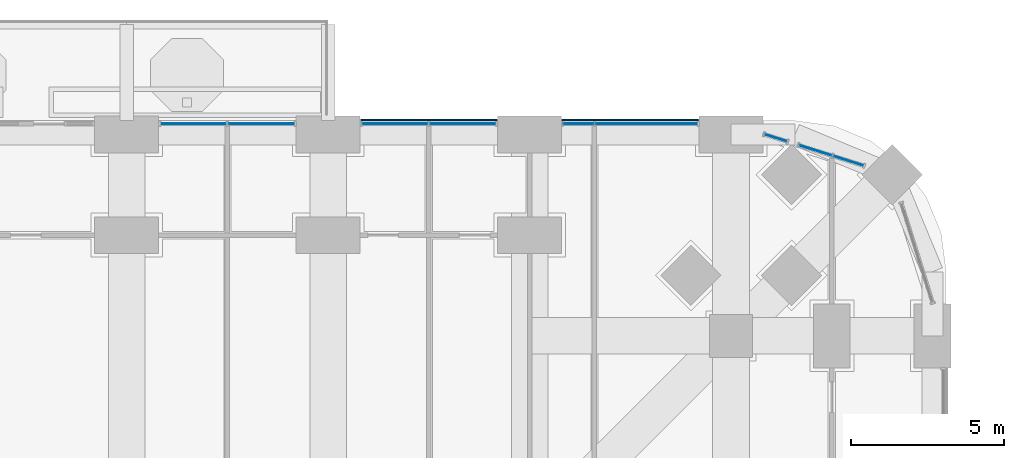
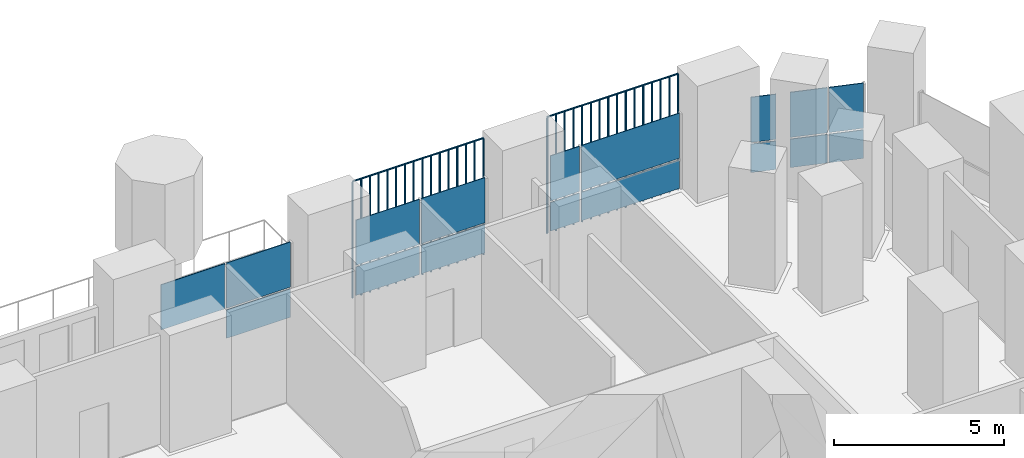
# One storey, part 16 of 26: 19 plates, 5 elements without a shape of their own.
"""IFC4 building model written with IfcOpenShell, lengths in metres."""

import ifcopenshell
import ifcopenshell.guid

model = None  # the IFC model being written
_history = None  # IfcOwnerHistory: only IFC2X3 demands one
_inside = {}  # id of a spatial element -> (the spatial element, [elements in it])
_under = {}  # id of a project, library or spatial element -> (it, [spatial elements below it])
_declared = {}  # id of a project -> (the project, [libraries it declares])
_typed = {}  # id of a type object -> (the type object, [elements of that type])
_made_of = {}  # id of a material, layer set ... -> (it, [elements and type objects made of it])


def new_model(schema):
    """Start an empty IFC model of exactly this schema.

    Asked for "IFC4X3", IfcOpenShell would pick the latest addendum, in which some entities
    have other attributes; the version numbers below select the first issue.
    IFC2X3 requires an IfcOwnerHistory on every rooted entity: one is made here for all.
    """
    global model, _history
    if schema == "IFC4X3":
        model = ifcopenshell.file(schema_version=(4, 3, 0, 0))
    else:
        model = ifcopenshell.file(schema=schema)
    _inside.clear()
    _under.clear()
    _declared.clear()
    _typed.clear()
    _made_of.clear()
    _history = None
    if model.schema == "IFC2X3":
        org = make("IfcOrganization", Name="unknown")
        user = make(
            "IfcPersonAndOrganization",
            ThePerson=make("IfcPerson", FamilyName="unknown"),
            TheOrganization=org,
        )
        app = make(
            "IfcApplication",
            ApplicationDeveloper=org,
            Version="unknown",
            ApplicationFullName="unknown",
            ApplicationIdentifier="unknown",
        )
        _history = make(
            "IfcOwnerHistory",
            OwningUser=user,
            OwningApplication=app,
            ChangeAction="ADDED",
            CreationDate=0,
        )
    return model


def make(cls, **values):
    """One entity of the class cls with the attributes given. An attribute that is None is left unset."""
    return model.create_entity(
        cls, **{name: value for name, value in values.items() if value is not None}
    )


def rooted(cls, **values):
    """An entity with a GlobalId (a new one), such as an element, a storey or a relation."""
    return make(cls, GlobalId=ifcopenshell.guid.new(), OwnerHistory=_history, **values)


def si_unit(unit_type, name, prefix=None):
    """IfcSIUnit, for example si_unit("LENGTHUNIT", "METRE", prefix="MILLI")."""
    return make("IfcSIUnit", UnitType=unit_type, Prefix=prefix, Name=name)


def assignment(units):
    """IfcUnitAssignment: the units of a project."""
    return None if units is None else make("IfcUnitAssignment", Units=units)


def point(xyz):
    """IfcCartesianPoint."""
    return None if xyz is None else make("IfcCartesianPoint", Coordinates=xyz)


def direction(xyz):
    """IfcDirection."""
    return None if xyz is None else make("IfcDirection", DirectionRatios=xyz)


def frame(location, z_axis=None, x_axis=None):
    """IfcAxis2Placement3D, a coordinate frame: its origin and axes. An axis left out is left unset."""
    return make(
        "IfcAxis2Placement3D",
        Location=point(location),
        Axis=direction(z_axis),
        RefDirection=direction(x_axis),
    )


def frame_2d(location, x_axis=None):
    """IfcAxis2Placement2D, a coordinate frame in the plane: its origin and x axis."""
    return make(
        "IfcAxis2Placement2D", Location=point(location), RefDirection=direction(x_axis)
    )


def origin():
    """The frame at (0, 0, 0) with its axes left unset."""
    return frame((0.0, 0.0, 0.0))


def origin_2d():
    """The frame at (0, 0) in the plane with its x axis left unset."""
    return frame_2d((0.0, 0.0))


def place(relative_to, where):
    """IfcLocalPlacement: puts the frame where relative to a parent placement (None: the world)."""
    return make(
        "IfcLocalPlacement", PlacementRelTo=relative_to, RelativePlacement=where
    )


def context(
    kind, dimensions, precision=None, world=None, true_north=None, identifier=None
):
    """IfcGeometricRepresentationContext, for example the 3D "Model" context."""
    return make(
        "IfcGeometricRepresentationContext",
        ContextIdentifier=identifier,
        ContextType=kind,
        CoordinateSpaceDimension=dimensions,
        Precision=precision,
        WorldCoordinateSystem=world,
        TrueNorth=true_north,
    )


def subcontext(parent, identifier, kind, view, scale=None):
    """IfcGeometricRepresentationSubContext, for example "Body" below "Model"."""
    return make(
        "IfcGeometricRepresentationSubContext",
        ContextIdentifier=identifier,
        ContextType=kind,
        ParentContext=parent,
        TargetScale=scale,
        TargetView=view,
    )


def project(units=None, contexts=None):
    """IfcProject with its units and contexts."""
    return rooted(
        "IfcProject",
        Name="project",
        RepresentationContexts=contexts,
        UnitsInContext=assignment(units),
    )


def spatial(cls, under=None, at=None, **own):
    """A site, building, storey or space (cls), placed at a placement, below another one or the project."""
    s = rooted(cls, ObjectPlacement=at, **own)
    if under is not None:
        _under.setdefault(under.id(), (under, []))[1].append(s)
    return s


def polyline(points):
    """IfcPolyline through the points."""
    return make("IfcPolyline", Points=[point(p) for p in points])


def profile(cls, at=None, kind="AREA", **sizes):
    """A parametric profile (cls). Its sizes go by their IFC names, for example OverallWidth=200.0."""
    return make(cls, ProfileType=kind, Position=at, **sizes)


def rectangle(**sizes):
    """IfcRectangleProfileDef."""
    return profile("IfcRectangleProfileDef", **sizes)


def outline(outer, holes=None, kind="AREA"):
    """IfcArbitraryClosedProfileDef: a profile drawn as a closed curve; with holes, ...WithVoids."""
    if holes is None:
        return make("IfcArbitraryClosedProfileDef", ProfileType=kind, OuterCurve=outer)
    return make(
        "IfcArbitraryProfileDefWithVoids",
        ProfileType=kind,
        OuterCurve=outer,
        InnerCurves=holes,
    )


def extrude(swept, where, along, depth):
    """IfcExtrudedAreaSolid: the profile swept, set in the frame where, extruded along a direction by depth."""
    return make(
        "IfcExtrudedAreaSolid",
        SweptArea=swept,
        Position=where,
        ExtrudedDirection=direction(along),
        Depth=depth,
    )


def shape(context_of_items, identifier, shape_type, items):
    """IfcShapeRepresentation: the items that make up one representation, for example the "Body"."""
    return make(
        "IfcShapeRepresentation",
        ContextOfItems=context_of_items,
        RepresentationIdentifier=identifier,
        RepresentationType=shape_type,
        Items=items,
    )


def material(Name=None, Category=None):
    """IfcMaterial."""
    return make("IfcMaterial", Name=Name, Category=Category)


def layer(
    of_material, thickness, ventilated=None, Name=None, Category=None, Priority=None
):
    """IfcMaterialLayer: one layer of a wall or slab, of a material (None: an air gap)."""
    return make(
        "IfcMaterialLayer",
        Material=of_material,
        LayerThickness=thickness,
        IsVentilated=ventilated,
        Name=Name,
        Category=Category,
        Priority=Priority,
    )


def layer_set(layers, Name=None):
    """IfcMaterialLayerSet."""
    return make("IfcMaterialLayerSet", MaterialLayers=layers, LayerSetName=Name)


def made_of(thing, what):
    """Note that an element or type object is made of a material, layer set ...; save() writes the relation."""
    if what is not None:
        _made_of.setdefault(what.id(), (what, []))[1].append(thing)
    return thing


def type_object(cls, material=None, **own):
    """A type object (cls), such as IfcWallType, which elements share."""
    return made_of(rooted(cls, **own), material)


def element(
    cls,
    number,
    at=None,
    inside=None,
    cuts=None,
    type_object=None,
    material=None,
    context=None,
    identifier="Body",
    shape_type=None,
    held_by="IfcProductDefinitionShape",
    body=None,
    shapes=None,
    **own,
):
    """One element of the class cls, such as IfcWall. Its Tag is "e" and its number.

    at: its placement. inside: the storey or other place that contains it. cuts: it is an
    opening in that element (IfcRelVoidsElement). A single representation is given by context,
    identifier, shape_type and body (its items); several are given by shapes. held_by: the class
    of the entity that holds the representations. save() writes the other relations.
    """
    e = rooted(cls, Tag="e%d" % number, ObjectPlacement=at, **own)
    if body is not None:
        shapes = [shape(context, identifier, shape_type, body)]
    if shapes is not None:
        e.Representation = make(held_by, Representations=shapes)
    if inside is not None:
        _inside.setdefault(inside.id(), (inside, []))[1].append(e)
    if cuts is not None:
        rooted(
            "IfcRelVoidsElement", RelatingBuildingElement=cuts, RelatedOpeningElement=e
        )
    if type_object is not None:
        _typed.setdefault(type_object.id(), (type_object, []))[1].append(e)
    return made_of(e, material)


def aggregate(whole, parts):
    """IfcRelAggregates: a whole, such as a stair, and the parts it consists of."""
    return rooted("IfcRelAggregates", RelatingObject=whole, RelatedObjects=parts)


def save(model, path):
    """Write the relations noted so far, then the file.

    IfcRelAggregates (storeys below a building ...), IfcRelContainedInSpatialStructure (elements
    in a storey), IfcRelDefinesByType, IfcRelAssociatesMaterial and IfcRelDeclares: one each for
    every whole, place, type object, material and project.
    """
    for whole, parts in _under.values():
        aggregate(whole, parts)
    for where, things in _inside.values():
        rooted(
            "IfcRelContainedInSpatialStructure",
            RelatedElements=things,
            RelatingStructure=where,
        )
    for kind, things in _typed.values():
        rooted("IfcRelDefinesByType", RelatedObjects=things, RelatingType=kind)
    for what, things in _made_of.values():
        rooted("IfcRelAssociatesMaterial", RelatedObjects=things, RelatingMaterial=what)
    for by, libraries in _declared.values():
        rooted("IfcRelDeclares", RelatingContext=by, RelatedDefinitions=libraries)
    model.write(path)


model = new_model("IFC4")

# Units and contexts
model_context = context("Model", 3, precision=1e-05, world=origin(), true_north=direction((0.0, 1.0)))
body_context = subcontext(model_context, "Body", "Model", "MODEL_VIEW")
ifc_project = project(units=[si_unit("LENGTHUNIT", "METRE"), si_unit("AREAUNIT", "SQUARE_METRE"), si_unit("VOLUMEUNIT", "CUBIC_METRE"), si_unit("PLANEANGLEUNIT", "RADIAN"), si_unit("MASSUNIT", "GRAM", prefix="KILO")], contexts=[model_context])

# Site, building, storey
site_placement = place(None, origin())
site = spatial("IfcSite", under=ifc_project, at=site_placement, CompositionType="ELEMENT")
building_placement = place(site_placement, origin())
building = spatial("IfcBuilding", under=site, at=building_placement, Name="Cobogo Forest Laboratory Tower", CompositionType="ELEMENT")
storey_placement = place(building_placement, frame((0.0, 0.0, 50.699951171875)))
storey = spatial("IfcBuildingStorey", under=building, at=storey_placement, Name="L11", CompositionType="ELEMENT", Elevation=50.699951171875)

# Curtain wall, plates
ifc_material_1 = material(Name="Aluminium curtain wall", Category="aluminium")
curtain_wall_type = type_object("IfcCurtainWallType", Name="CW-1 unitised curtain wall, clear glazing, laboratory floors zones A and B", PredefinedType="USERDEFINED", material=ifc_material_1)
curtain_wall_1_placement = place(storey_placement, origin())
curtain_wall_1 = element("IfcCurtainWall", 1, at=curtain_wall_1_placement, inside=storey, type_object=curtain_wall_type, Name="Curtain wall 16 L11", ObjectType="UNITISED CURTAIN WALL", PredefinedType="USERDEFINED")
ifc_material_2 = material(Name="Clear insulated glass", Category="glass")
ifc_layer = layer(ifc_material_2, 0.028076171875)
ifc_layer_set = layer_set([ifc_layer], Name="GP-1 clear insulated glass unit 28")
plate_type_1 = type_object("IfcPlateType", Name="GP-1 clear insulated glass unit 28", PredefinedType="CURTAIN_PANEL", material=ifc_layer_set)
plate_1_placement = place(storey_placement, frame((50.042724609375, 45.33642578125, 0.0), z_axis=(0.0, 0.0, 1.0), x_axis=(-0.953581409645, 0.301135343623, 0.0)))
plate_1 = element("IfcPlate", 2, at=plate_1_placement, type_object=plate_type_1, Name="CW-1 panel 1.1", PredefinedType="CURTAIN_PANEL", context=body_context, shape_type="SweptSolid", body=[
    extrude(rectangle(XDim=1.027587890625, YDim=0.028076171875, at=origin_2d()), origin(), (0.0, 0.0, 1.0), 1.02001953125),
])
plate_2_placement = place(storey_placement, frame((50.042724609375, 45.33642578125, 1.080078125), z_axis=(0.0, 0.0, 1.0), x_axis=(-0.953581409645, 0.301135343623, 0.0)))
plate_2 = element("IfcPlate", 3, at=plate_2_placement, type_object=plate_type_1, Name="CW-1 panel 1.2", PredefinedType="CURTAIN_PANEL", context=body_context, shape_type="SweptSolid", body=[
    extrude(rectangle(XDim=1.027587890625, YDim=0.028076171875, at=origin_2d()), origin(), (0.0, 0.0, 1.0), 1.6201171875),
])
plate_3_placement = place(storey_placement, frame((48.963623046875, 45.67724609375, 0.0), z_axis=(0.0, 0.0, 1.0), x_axis=(-0.953581409645, 0.301135343623, 0.0)))
plate_3 = element("IfcPlate", 4, at=plate_3_placement, type_object=plate_type_1, Name="CW-1 panel 2.1", PredefinedType="CURTAIN_PANEL", context=body_context, shape_type="SweptSolid", body=[
    extrude(rectangle(XDim=1.11572265625, YDim=0.028076171875, at=origin_2d()), origin(), (0.0, 0.0, 1.0), 1.02001953125),
])
plate_4_placement = place(storey_placement, frame((48.963623046875, 45.67724609375, 1.080078125), z_axis=(0.0, 0.0, 1.0), x_axis=(-0.953581409645, 0.301135343623, 0.0)))
plate_4 = element("IfcPlate", 5, at=plate_4_placement, type_object=plate_type_1, Name="CW-1 panel 2.2", PredefinedType="CURTAIN_PANEL", context=body_context, shape_type="SweptSolid", body=[
    extrude(rectangle(XDim=1.11572265625, YDim=0.028076171875, at=origin_2d()), origin(), (0.0, 0.0, 1.0), 1.6201171875),
])
aggregate(curtain_wall_1, [plate_1, plate_2, plate_3, plate_4])

curtain_wall_2_placement = place(storey_placement, origin())
curtain_wall_2 = element("IfcCurtainWall", 6, at=curtain_wall_2_placement, inside=storey, type_object=curtain_wall_type, Name="Curtain wall 17 L11", ObjectType="UNITISED CURTAIN WALL", PredefinedType="USERDEFINED")
plate_5_placement = place(storey_placement, frame((47.666015625, 46.087158203125, 0.0), z_axis=(0.0, 0.0, 1.0), x_axis=(-0.953581504428, 0.301135043481, 0.0)))
plate_5 = element("IfcPlate", 7, at=plate_5_placement, type_object=plate_type_1, Name="CW-1 panel 1.1", PredefinedType="CURTAIN_PANEL", context=body_context, shape_type="SweptSolid", body=[
    extrude(rectangle(XDim=0.75244140625, YDim=0.028076171875, at=origin_2d()), origin(), (0.0, 0.0, 1.0), 1.02001953125),
])
plate_6_placement = place(storey_placement, frame((47.666015625, 46.087158203125, 1.080078125), z_axis=(0.0, 0.0, 1.0), x_axis=(-0.953581504428, 0.301135043481, 0.0)))
plate_6 = element("IfcPlate", 8, at=plate_6_placement, type_object=plate_type_1, Name="CW-1 panel 1.2", PredefinedType="CURTAIN_PANEL", context=body_context, shape_type="SweptSolid", body=[
    extrude(rectangle(XDim=0.75244140625, YDim=0.028076171875, at=origin_2d()), origin(), (0.0, 0.0, 1.0), 1.6201171875),
])
aggregate(curtain_wall_2, [plate_5, plate_6])

curtain_wall_3_placement = place(storey_placement, origin())
curtain_wall_3 = element("IfcCurtainWall", 9, at=curtain_wall_3_placement, inside=storey, type_object=curtain_wall_type, Name="Curtain wall 18 L11", ObjectType="UNITISED CURTAIN WALL", PredefinedType="USERDEFINED")
plate_7_placement = place(storey_placement, frame((43.422607421875, 46.550048828125, 0.0), z_axis=(0.0, 0.0, 1.0), x_axis=(-1.0, 0.0, 0.0)))
plate_7 = element("IfcPlate", 10, at=plate_7_placement, type_object=plate_type_1, Name="CW-1 panel 1.1", PredefinedType="CURTAIN_PANEL", context=body_context, shape_type="SweptSolid", body=[
    extrude(rectangle(XDim=3.3349609375, YDim=0.028076171875, at=origin_2d()), origin(), (0.0, 0.0, 1.0), 1.02001953125),
])
plate_8_placement = place(storey_placement, frame((43.422607421875, 46.550048828125, 1.080078125), z_axis=(0.0, 0.0, 1.0), x_axis=(-1.0, 0.0, 0.0)))
plate_8 = element("IfcPlate", 11, at=plate_8_placement, type_object=plate_type_1, Name="CW-1 panel 1.2", PredefinedType="CURTAIN_PANEL", context=body_context, shape_type="SweptSolid", body=[
    extrude(rectangle(XDim=3.3349609375, YDim=0.028076171875, at=origin_2d()), origin(), (0.0, 0.0, 1.0), 1.6201171875),
])
plate_9_placement = place(storey_placement, frame((41.202392578125, 46.550048828125, 0.0), z_axis=(0.0, 0.0, 1.0), x_axis=(-1.0, 0.0, 0.0)))
plate_9 = element("IfcPlate", 12, at=plate_9_placement, type_object=plate_type_1, Name="CW-1 panel 2.1", PredefinedType="CURTAIN_PANEL", context=body_context, shape_type="SweptSolid", body=[
    extrude(rectangle(XDim=0.985107421875, YDim=0.028076171875, at=origin_2d()), origin(), (0.0, 0.0, 1.0), 1.02001953125),
])
plate_10_placement = place(storey_placement, frame((41.202392578125, 46.550048828125, 1.080078125), z_axis=(0.0, 0.0, 1.0), x_axis=(-1.0, 0.0, 0.0)))
plate_10 = element("IfcPlate", 13, at=plate_10_placement, type_object=plate_type_1, Name="CW-1 panel 2.2", PredefinedType="CURTAIN_PANEL", context=body_context, shape_type="SweptSolid", body=[
    extrude(rectangle(XDim=0.985107421875, YDim=0.028076171875, at=origin_2d()), origin(), (0.0, 0.0, 1.0), 1.6201171875),
])
aggregate(curtain_wall_3, [plate_7, plate_8, plate_9, plate_10])

curtain_wall_4_placement = place(storey_placement, origin())
curtain_wall_4 = element("IfcCurtainWall", 14, at=curtain_wall_4_placement, inside=storey, type_object=curtain_wall_type, Name="Curtain wall 19 L11", ObjectType="UNITISED CURTAIN WALL", PredefinedType="USERDEFINED")
plate_11_placement = place(storey_placement, frame((37.409912109375, 46.550048828125, 0.0), z_axis=(0.0, 0.0, 1.0), x_axis=(-1.0, 0.0, 0.0)))
plate_11 = element("IfcPlate", 15, at=plate_11_placement, type_object=plate_type_1, Name="CW-1 panel 1.1", PredefinedType="CURTAIN_PANEL", context=body_context, shape_type="SweptSolid", body=[
    extrude(rectangle(XDim=2.159912109375, YDim=0.028076171875, at=origin_2d()), origin(), (0.0, 0.0, 1.0), 1.02001953125),
])
plate_12_placement = place(storey_placement, frame((37.409912109375, 46.550048828125, 1.080078125), z_axis=(0.0, 0.0, 1.0), x_axis=(-1.0, 0.0, 0.0)))
plate_12 = element("IfcPlate", 16, at=plate_12_placement, type_object=plate_type_1, Name="CW-1 panel 1.2", PredefinedType="CURTAIN_PANEL", context=body_context, shape_type="SweptSolid", body=[
    extrude(rectangle(XDim=2.159912109375, YDim=0.028076171875, at=origin_2d()), origin(), (0.0, 0.0, 1.0), 1.6201171875),
])
plate_13_placement = place(storey_placement, frame((35.18994140625, 46.550048828125, 0.0), z_axis=(0.0, 0.0, 1.0), x_axis=(-1.0, 0.0, 0.0)))
plate_13 = element("IfcPlate", 17, at=plate_13_placement, type_object=plate_type_1, Name="CW-1 panel 2.1", PredefinedType="CURTAIN_PANEL", context=body_context, shape_type="SweptSolid", body=[
    extrude(rectangle(XDim=2.159912109375, YDim=0.028076171875, at=origin_2d()), origin(), (0.0, 0.0, 1.0), 1.02001953125),
])
plate_14_placement = place(storey_placement, frame((35.18994140625, 46.550048828125, 1.080078125), z_axis=(0.0, 0.0, 1.0), x_axis=(-1.0, 0.0, 0.0)))
plate_14 = element("IfcPlate", 18, at=plate_14_placement, type_object=plate_type_1, Name="CW-1 panel 2.2", PredefinedType="CURTAIN_PANEL", context=body_context, shape_type="SweptSolid", body=[
    extrude(rectangle(XDim=2.159912109375, YDim=0.028076171875, at=origin_2d()), origin(), (0.0, 0.0, 1.0), 1.6201171875),
])
aggregate(curtain_wall_4, [plate_11, plate_12, plate_13, plate_14])

curtain_wall_5_placement = place(storey_placement, origin())
curtain_wall_5 = element("IfcCurtainWall", 19, at=curtain_wall_5_placement, inside=storey, type_object=curtain_wall_type, Name="Curtain wall 20 L11", ObjectType="UNITISED CURTAIN WALL", PredefinedType="USERDEFINED")
plate_15_placement = place(storey_placement, frame((30.81005859375, 46.550048828125, 0.0), z_axis=(0.0, 0.0, 1.0), x_axis=(-1.0, 0.0, 0.0)))
plate_15 = element("IfcPlate", 20, at=plate_15_placement, type_object=plate_type_1, Name="CW-1 panel 1.1", PredefinedType="CURTAIN_PANEL", context=body_context, shape_type="SweptSolid", body=[
    extrude(rectangle(XDim=2.159912109375, YDim=0.028076171875, at=origin_2d()), origin(), (0.0, 0.0, 1.0), 1.02001953125),
])
plate_16_placement = place(storey_placement, frame((30.81005859375, 46.550048828125, 1.080078125), z_axis=(0.0, 0.0, 1.0), x_axis=(-1.0, 0.0, 0.0)))
plate_16 = element("IfcPlate", 21, at=plate_16_placement, type_object=plate_type_1, Name="CW-1 panel 1.2", PredefinedType="CURTAIN_PANEL", context=body_context, shape_type="SweptSolid", body=[
    extrude(rectangle(XDim=2.159912109375, YDim=0.028076171875, at=origin_2d()), origin(), (0.0, 0.0, 1.0), 1.6201171875),
])
plate_17_placement = place(storey_placement, frame((28.590087890625, 46.550048828125, 1.080078125), z_axis=(0.0, 0.0, 1.0), x_axis=(-1.0, 0.0, 0.0)))
plate_17 = element("IfcPlate", 22, at=plate_17_placement, type_object=plate_type_1, Name="CW-1 panel 2.2", PredefinedType="CURTAIN_PANEL", context=body_context, shape_type="SweptSolid", body=[
    extrude(rectangle(XDim=2.159912109375, YDim=0.028076171875, at=origin_2d()), origin(), (0.0, 0.0, 1.0), 1.6201171875),
])
aggregate(curtain_wall_5, [plate_15, plate_16, plate_17])

# Plates
ifc_material_3 = material(Name="Terracotta", Category="masonry")
plate_type_2 = type_object("IfcPlateType", Name="TB1 terracotta baguette screen", PredefinedType="USERDEFINED", material=ifc_material_3)
plate_18_placement = place(storey_placement, frame((34.081298828125, 46.677978515625, -0.14990234375)))
element("IfcPlate", 23, at=plate_18_placement, inside=storey, type_object=plate_type_2, Name="Baguette screen N5 L11", ObjectType="BAGUETTE SCREEN", PredefinedType="USERDEFINED", context=body_context, shape_type="SweptSolid", body=[
    extrude(outline(polyline([(0.02880859375, 0.011962890625), (0.011962890625, 0.02880859375), (-0.011962890625, 0.02880859375), (-0.02880859375, 0.011962890625), (-0.02880859375, -0.011962890625), (-0.011962890625, -0.02880859375), (0.011962890625, -0.02880859375), (0.02880859375, -0.011962890625), (0.02880859375, 0.011962890625)])), frame((0.0, 0.0, 4.168701171875), z_axis=(1.0, 0.0, 0.0), x_axis=(0.0, 1.0, 0.0)), (0.0, 0.0, 1.0), 4.4375),
    extrude(outline(polyline([(0.02880859375, 0.011962890625), (0.011962890625, 0.02880859375), (-0.011962890625, 0.02880859375), (-0.02880859375, 0.011962890625), (-0.02880859375, -0.011962890625), (-0.011962890625, -0.02880859375), (0.011962890625, -0.02880859375), (0.02880859375, -0.011962890625), (0.02880859375, 0.011962890625)])), origin(), (0.0, 0.0, 1.0), 4.137451171875),
    extrude(outline(polyline([(0.02880859375, 0.011962890625), (0.011962890625, 0.02880859375), (-0.011962890625, 0.02880859375), (-0.02880859375, 0.011962890625), (-0.02880859375, -0.011962890625), (-0.011962890625, -0.02880859375), (0.011962890625, -0.02880859375), (0.02880859375, -0.011962890625), (0.02880859375, 0.011962890625)])), frame((0.2958984375, 0.0, 0.0)), (0.0, 0.0, 1.0), 4.137451171875),
    extrude(outline(polyline([(0.02880859375, 0.011962890625), (0.011962890625, 0.02880859375), (-0.011962890625, 0.02880859375), (-0.02880859375, 0.011962890625), (-0.02880859375, -0.011962890625), (-0.011962890625, -0.02880859375), (0.011962890625, -0.02880859375), (0.02880859375, -0.011962890625), (0.02880859375, 0.011962890625)])), frame((0.591552734375, 0.0, 0.0)), (0.0, 0.0, 1.0), 4.137451171875),
    extrude(outline(polyline([(0.02880859375, 0.011962890625), (0.011962890625, 0.02880859375), (-0.011962890625, 0.02880859375), (-0.02880859375, 0.011962890625), (-0.02880859375, -0.011962890625), (-0.011962890625, -0.02880859375), (0.011962890625, -0.02880859375), (0.02880859375, -0.011962890625), (0.02880859375, 0.011962890625)])), frame((0.887451171875, 0.0, 0.0)), (0.0, 0.0, 1.0), 4.137451171875),
    extrude(outline(polyline([(0.02880859375, 0.011962890625), (0.011962890625, 0.02880859375), (-0.011962890625, 0.02880859375), (-0.02880859375, 0.011962890625), (-0.02880859375, -0.011962890625), (-0.011962890625, -0.02880859375), (0.011962890625, -0.02880859375), (0.02880859375, -0.011962890625), (0.02880859375, 0.011962890625)])), frame((1.183349609375, 0.0, 0.0)), (0.0, 0.0, 1.0), 4.137451171875),
    extrude(outline(polyline([(0.02880859375, 0.011962890625), (0.011962890625, 0.02880859375), (-0.011962890625, 0.02880859375), (-0.02880859375, 0.011962890625), (-0.02880859375, -0.011962890625), (-0.011962890625, -0.02880859375), (0.011962890625, -0.02880859375), (0.02880859375, -0.011962890625), (0.02880859375, 0.011962890625)])), frame((1.479248046875, 0.0, 0.0)), (0.0, 0.0, 1.0), 4.137451171875),
    extrude(outline(polyline([(0.02880859375, 0.011962890625), (0.011962890625, 0.02880859375), (-0.011962890625, 0.02880859375), (-0.02880859375, 0.011962890625), (-0.02880859375, -0.011962890625), (-0.011962890625, -0.02880859375), (0.011962890625, -0.02880859375), (0.02880859375, -0.011962890625), (0.02880859375, 0.011962890625)])), frame((1.77490234375, 0.0, 0.0)), (0.0, 0.0, 1.0), 4.137451171875),
    extrude(outline(polyline([(0.02880859375, 0.011962890625), (0.011962890625, 0.02880859375), (-0.011962890625, 0.02880859375), (-0.02880859375, 0.011962890625), (-0.02880859375, -0.011962890625), (-0.011962890625, -0.02880859375), (0.011962890625, -0.02880859375), (0.02880859375, -0.011962890625), (0.02880859375, 0.011962890625)])), frame((2.07080078125, 0.0, 0.0)), (0.0, 0.0, 1.0), 4.137451171875),
    extrude(outline(polyline([(0.02880859375, 0.011962890625), (0.011962890625, 0.02880859375), (-0.011962890625, 0.02880859375), (-0.02880859375, 0.011962890625), (-0.02880859375, -0.011962890625), (-0.011962890625, -0.02880859375), (0.011962890625, -0.02880859375), (0.02880859375, -0.011962890625), (0.02880859375, 0.011962890625)])), frame((2.36669921875, 0.0, 0.0)), (0.0, 0.0, 1.0), 4.137451171875),
    extrude(outline(polyline([(0.02880859375, 0.011962890625), (0.011962890625, 0.02880859375), (-0.011962890625, 0.02880859375), (-0.02880859375, 0.011962890625), (-0.02880859375, -0.011962890625), (-0.011962890625, -0.02880859375), (0.011962890625, -0.02880859375), (0.02880859375, -0.011962890625), (0.02880859375, 0.011962890625)])), frame((2.66259765625, 0.0, 0.0)), (0.0, 0.0, 1.0), 4.137451171875),
    extrude(outline(polyline([(0.02880859375, 0.011962890625), (0.011962890625, 0.02880859375), (-0.011962890625, 0.02880859375), (-0.02880859375, 0.011962890625), (-0.02880859375, -0.011962890625), (-0.011962890625, -0.02880859375), (0.011962890625, -0.02880859375), (0.02880859375, -0.011962890625), (0.02880859375, 0.011962890625)])), frame((2.958251953125, 0.0, 0.0)), (0.0, 0.0, 1.0), 4.137451171875),
    extrude(outline(polyline([(0.02880859375, 0.011962890625), (0.011962890625, 0.02880859375), (-0.011962890625, 0.02880859375), (-0.02880859375, 0.011962890625), (-0.02880859375, -0.011962890625), (-0.011962890625, -0.02880859375), (0.011962890625, -0.02880859375), (0.02880859375, -0.011962890625), (0.02880859375, 0.011962890625)])), frame((3.254150390625, 0.0, 0.0)), (0.0, 0.0, 1.0), 4.137451171875),
    extrude(outline(polyline([(0.02880859375, 0.011962890625), (0.011962890625, 0.02880859375), (-0.011962890625, 0.02880859375), (-0.02880859375, 0.011962890625), (-0.02880859375, -0.011962890625), (-0.011962890625, -0.02880859375), (0.011962890625, -0.02880859375), (0.02880859375, -0.011962890625), (0.02880859375, 0.011962890625)])), frame((3.550048828125, 0.0, 0.0)), (0.0, 0.0, 1.0), 4.137451171875),
    extrude(outline(polyline([(0.02880859375, 0.011962890625), (0.011962890625, 0.02880859375), (-0.011962890625, 0.02880859375), (-0.02880859375, 0.011962890625), (-0.02880859375, -0.011962890625), (-0.011962890625, -0.02880859375), (0.011962890625, -0.02880859375), (0.02880859375, -0.011962890625), (0.02880859375, 0.011962890625)])), frame((3.845947265625, 0.0, 0.0)), (0.0, 0.0, 1.0), 4.137451171875),
    extrude(outline(polyline([(0.02880859375, 0.011962890625), (0.011962890625, 0.02880859375), (-0.011962890625, 0.02880859375), (-0.02880859375, 0.011962890625), (-0.02880859375, -0.011962890625), (-0.011962890625, -0.02880859375), (0.011962890625, -0.02880859375), (0.02880859375, -0.011962890625), (0.02880859375, 0.011962890625)])), frame((4.1416015625, 0.0, 0.0)), (0.0, 0.0, 1.0), 4.137451171875),
    extrude(outline(polyline([(0.02880859375, 0.011962890625), (0.011962890625, 0.02880859375), (-0.011962890625, 0.02880859375), (-0.02880859375, 0.011962890625), (-0.02880859375, -0.011962890625), (-0.011962890625, -0.02880859375), (0.011962890625, -0.02880859375), (0.02880859375, -0.011962890625), (0.02880859375, 0.011962890625)])), frame((4.4375, 0.0, 0.0)), (0.0, 0.0, 1.0), 4.137451171875),
])
plate_19_placement = place(storey_placement, frame((40.68115234375, 46.677978515625, -0.14990234375)))
element("IfcPlate", 24, at=plate_19_placement, inside=storey, type_object=plate_type_2, Name="Baguette screen N6 L11", ObjectType="BAGUETTE SCREEN", PredefinedType="USERDEFINED", context=body_context, shape_type="SweptSolid", body=[
    extrude(outline(polyline([(0.02880859375, 0.011962890625), (0.011962890625, 0.02880859375), (-0.011962890625, 0.02880859375), (-0.02880859375, 0.011962890625), (-0.02880859375, -0.011962890625), (-0.011962890625, -0.02880859375), (0.011962890625, -0.02880859375), (0.02880859375, -0.011962890625), (0.02880859375, 0.011962890625)])), frame((0.0, 0.0, 4.168701171875), z_axis=(1.0, 0.0, 0.0), x_axis=(0.0, 1.0, 0.0)), (0.0, 0.0, 1.0), 4.4375),
    extrude(outline(polyline([(0.02880859375, 0.011962890625), (0.011962890625, 0.02880859375), (-0.011962890625, 0.02880859375), (-0.02880859375, 0.011962890625), (-0.02880859375, -0.011962890625), (-0.011962890625, -0.02880859375), (0.011962890625, -0.02880859375), (0.02880859375, -0.011962890625), (0.02880859375, 0.011962890625)])), origin(), (0.0, 0.0, 1.0), 4.137451171875),
    extrude(outline(polyline([(0.02880859375, 0.011962890625), (0.011962890625, 0.02880859375), (-0.011962890625, 0.02880859375), (-0.02880859375, 0.011962890625), (-0.02880859375, -0.011962890625), (-0.011962890625, -0.02880859375), (0.011962890625, -0.02880859375), (0.02880859375, -0.011962890625), (0.02880859375, 0.011962890625)])), frame((0.2958984375, 0.0, 0.0)), (0.0, 0.0, 1.0), 4.137451171875),
    extrude(outline(polyline([(0.02880859375, 0.011962890625), (0.011962890625, 0.02880859375), (-0.011962890625, 0.02880859375), (-0.02880859375, 0.011962890625), (-0.02880859375, -0.011962890625), (-0.011962890625, -0.02880859375), (0.011962890625, -0.02880859375), (0.02880859375, -0.011962890625), (0.02880859375, 0.011962890625)])), frame((0.591552734375, 0.0, 0.0)), (0.0, 0.0, 1.0), 4.137451171875),
    extrude(outline(polyline([(0.02880859375, 0.011962890625), (0.011962890625, 0.02880859375), (-0.011962890625, 0.02880859375), (-0.02880859375, 0.011962890625), (-0.02880859375, -0.011962890625), (-0.011962890625, -0.02880859375), (0.011962890625, -0.02880859375), (0.02880859375, -0.011962890625), (0.02880859375, 0.011962890625)])), frame((0.887451171875, 0.0, 0.0)), (0.0, 0.0, 1.0), 4.137451171875),
    extrude(outline(polyline([(0.02880859375, 0.011962890625), (0.011962890625, 0.02880859375), (-0.011962890625, 0.02880859375), (-0.02880859375, 0.011962890625), (-0.02880859375, -0.011962890625), (-0.011962890625, -0.02880859375), (0.011962890625, -0.02880859375), (0.02880859375, -0.011962890625), (0.02880859375, 0.011962890625)])), frame((1.183349609375, 0.0, 0.0)), (0.0, 0.0, 1.0), 4.137451171875),
    extrude(outline(polyline([(0.02880859375, 0.011962890625), (0.011962890625, 0.02880859375), (-0.011962890625, 0.02880859375), (-0.02880859375, 0.011962890625), (-0.02880859375, -0.011962890625), (-0.011962890625, -0.02880859375), (0.011962890625, -0.02880859375), (0.02880859375, -0.011962890625), (0.02880859375, 0.011962890625)])), frame((1.479248046875, 0.0, 0.0)), (0.0, 0.0, 1.0), 4.137451171875),
    extrude(outline(polyline([(0.02880859375, 0.011962890625), (0.011962890625, 0.02880859375), (-0.011962890625, 0.02880859375), (-0.02880859375, 0.011962890625), (-0.02880859375, -0.011962890625), (-0.011962890625, -0.02880859375), (0.011962890625, -0.02880859375), (0.02880859375, -0.011962890625), (0.02880859375, 0.011962890625)])), frame((1.77490234375, 0.0, 0.0)), (0.0, 0.0, 1.0), 4.137451171875),
    extrude(outline(polyline([(0.02880859375, 0.011962890625), (0.011962890625, 0.02880859375), (-0.011962890625, 0.02880859375), (-0.02880859375, 0.011962890625), (-0.02880859375, -0.011962890625), (-0.011962890625, -0.02880859375), (0.011962890625, -0.02880859375), (0.02880859375, -0.011962890625), (0.02880859375, 0.011962890625)])), frame((2.07080078125, 0.0, 0.0)), (0.0, 0.0, 1.0), 4.137451171875),
    extrude(outline(polyline([(0.02880859375, 0.011962890625), (0.011962890625, 0.02880859375), (-0.011962890625, 0.02880859375), (-0.02880859375, 0.011962890625), (-0.02880859375, -0.011962890625), (-0.011962890625, -0.02880859375), (0.011962890625, -0.02880859375), (0.02880859375, -0.011962890625), (0.02880859375, 0.011962890625)])), frame((2.36669921875, 0.0, 0.0)), (0.0, 0.0, 1.0), 4.137451171875),
    extrude(outline(polyline([(0.02880859375, 0.011962890625), (0.011962890625, 0.02880859375), (-0.011962890625, 0.02880859375), (-0.02880859375, 0.011962890625), (-0.02880859375, -0.011962890625), (-0.011962890625, -0.02880859375), (0.011962890625, -0.02880859375), (0.02880859375, -0.011962890625), (0.02880859375, 0.011962890625)])), frame((2.66259765625, 0.0, 0.0)), (0.0, 0.0, 1.0), 4.137451171875),
    extrude(outline(polyline([(0.02880859375, 0.011962890625), (0.011962890625, 0.02880859375), (-0.011962890625, 0.02880859375), (-0.02880859375, 0.011962890625), (-0.02880859375, -0.011962890625), (-0.011962890625, -0.02880859375), (0.011962890625, -0.02880859375), (0.02880859375, -0.011962890625), (0.02880859375, 0.011962890625)])), frame((2.958251953125, 0.0, 0.0)), (0.0, 0.0, 1.0), 4.137451171875),
    extrude(outline(polyline([(0.02880859375, 0.011962890625), (0.011962890625, 0.02880859375), (-0.011962890625, 0.02880859375), (-0.02880859375, 0.011962890625), (-0.02880859375, -0.011962890625), (-0.011962890625, -0.02880859375), (0.011962890625, -0.02880859375), (0.02880859375, -0.011962890625), (0.02880859375, 0.011962890625)])), frame((3.254150390625, 0.0, 0.0)), (0.0, 0.0, 1.0), 4.137451171875),
    extrude(outline(polyline([(0.02880859375, 0.011962890625), (0.011962890625, 0.02880859375), (-0.011962890625, 0.02880859375), (-0.02880859375, 0.011962890625), (-0.02880859375, -0.011962890625), (-0.011962890625, -0.02880859375), (0.011962890625, -0.02880859375), (0.02880859375, -0.011962890625), (0.02880859375, 0.011962890625)])), frame((3.550048828125, 0.0, 0.0)), (0.0, 0.0, 1.0), 4.137451171875),
    extrude(outline(polyline([(0.02880859375, 0.011962890625), (0.011962890625, 0.02880859375), (-0.011962890625, 0.02880859375), (-0.02880859375, 0.011962890625), (-0.02880859375, -0.011962890625), (-0.011962890625, -0.02880859375), (0.011962890625, -0.02880859375), (0.02880859375, -0.011962890625), (0.02880859375, 0.011962890625)])), frame((3.845947265625, 0.0, 0.0)), (0.0, 0.0, 1.0), 4.137451171875),
    extrude(outline(polyline([(0.02880859375, 0.011962890625), (0.011962890625, 0.02880859375), (-0.011962890625, 0.02880859375), (-0.02880859375, 0.011962890625), (-0.02880859375, -0.011962890625), (-0.011962890625, -0.02880859375), (0.011962890625, -0.02880859375), (0.02880859375, -0.011962890625), (0.02880859375, 0.011962890625)])), frame((4.1416015625, 0.0, 0.0)), (0.0, 0.0, 1.0), 4.137451171875),
    extrude(outline(polyline([(0.02880859375, 0.011962890625), (0.011962890625, 0.02880859375), (-0.011962890625, 0.02880859375), (-0.02880859375, 0.011962890625), (-0.02880859375, -0.011962890625), (-0.011962890625, -0.02880859375), (0.011962890625, -0.02880859375), (0.02880859375, -0.011962890625), (0.02880859375, 0.011962890625)])), frame((4.4375, 0.0, 0.0)), (0.0, 0.0, 1.0), 4.137451171875),
])

save(model, "model.ifc")
